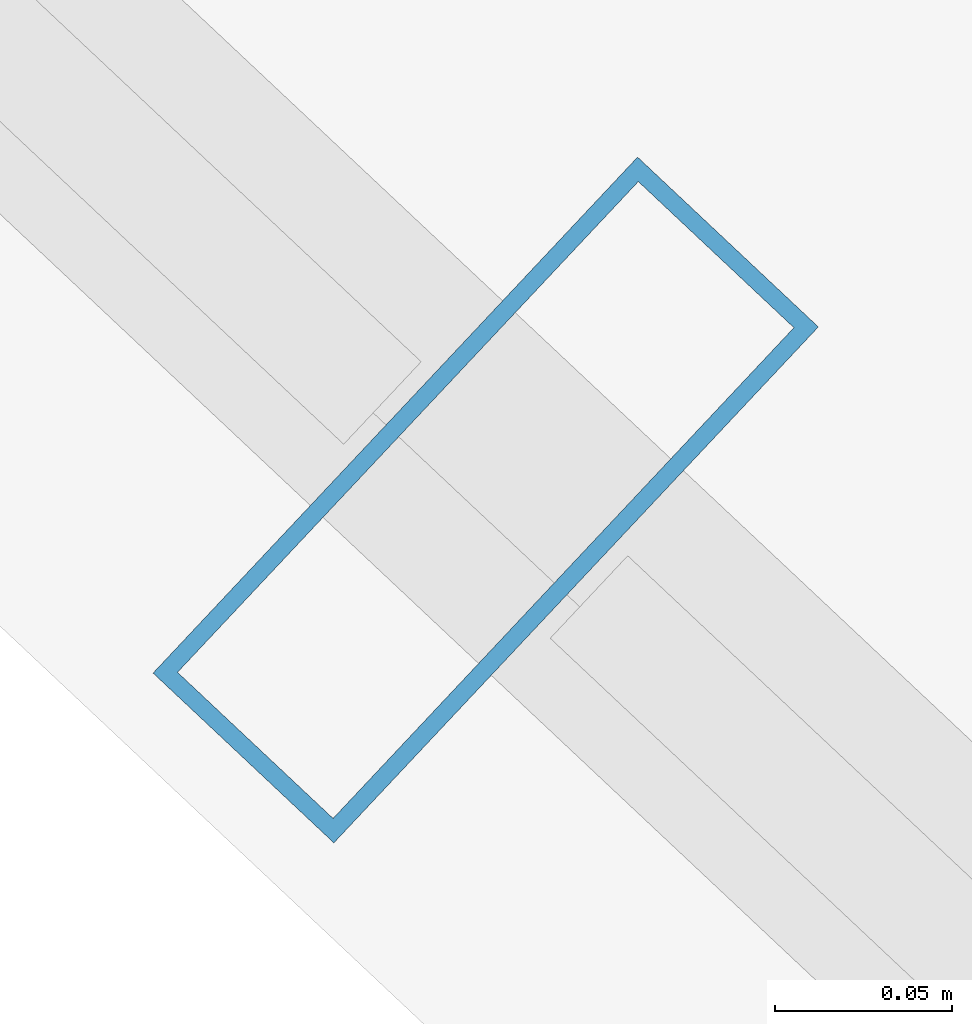
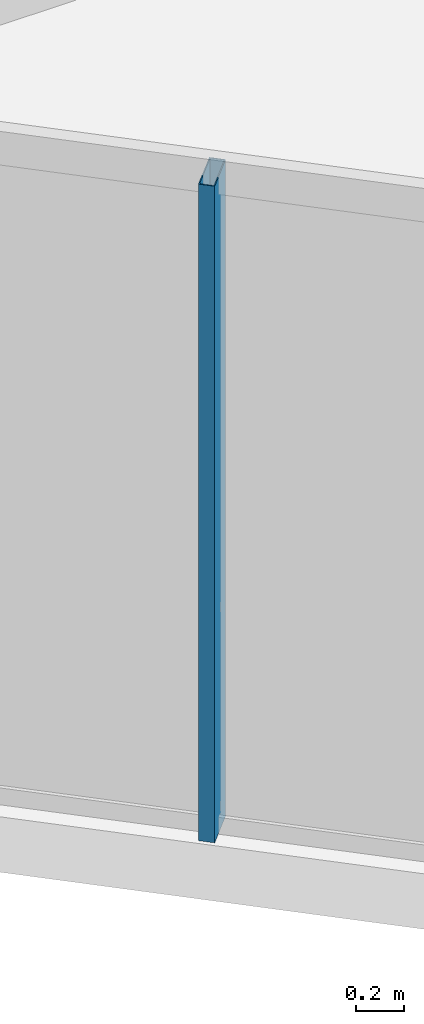
# One storey, part 2 of 19: 1 member, 1 element without a shape of its own.
"""IFC4 building model written with IfcOpenShell, lengths in metres."""

from ifc_helpers import new_model, si_unit, direction, frame, origin, origin_2d, place, context, subcontext, project, spatial, hollow_rectangle, extrude, material, layer, layer_set, material_profile, profile_set, type_object, element, aggregate, save


model = new_model("IFC4")

# Units and contexts
model_context = context("Model", 3, precision=1e-05, world=origin(), true_north=direction((0.0, 1.0)))
body_context = subcontext(model_context, "Body", "Model", "MODEL_VIEW")
ifc_project = project(units=[si_unit("LENGTHUNIT", "METRE"), si_unit("AREAUNIT", "SQUARE_METRE"), si_unit("VOLUMEUNIT", "CUBIC_METRE"), si_unit("PLANEANGLEUNIT", "RADIAN"), si_unit("MASSUNIT", "GRAM", prefix="KILO")], contexts=[model_context])

# Site, building, storey
site_placement = place(None, origin())
site = spatial("IfcSite", under=ifc_project, at=site_placement, CompositionType="ELEMENT")
building_placement = place(site_placement, origin())
building = spatial("IfcBuilding", under=site, at=building_placement, Name="Qarnah Convention Tower", CompositionType="ELEMENT")
storey_placement = place(building_placement, frame((0.0, 0.0, 129.300048828125)))
storey = spatial("IfcBuildingStorey", under=building, at=storey_placement, Name="L34", CompositionType="ELEMENT", Elevation=129.300048828125)

# Curtain wall, member
ifc_material_1 = material(Name="Tempered Low-E dark glass", Category="glass")
ifc_layer = layer(ifc_material_1, 0.172119140625)
ifc_layer_set = layer_set([ifc_layer], Name="Tempered Low-E dark glass")
curtain_wall_type = type_object("IfcCurtainWallType", Name="CWS-03", PredefinedType="NOTDEFINED", material=ifc_layer_set)
curtain_wall_placement = place(storey_placement, origin())
curtain_wall = element("IfcCurtainWall", 1, at=curtain_wall_placement, inside=storey, type_object=curtain_wall_type, Name="L34 unitised curtain wall CW-L34-F1", PredefinedType="NOTDEFINED")
ifc_material_2 = material(Name="Black anodised aluminium", Category="aluminium")
ifc_material_profile = material_profile(ifc_material_2, hollow_rectangle(XDim=0.070068359375, YDim=0.199951171875, WallThickness=0.0048828125, at=origin_2d()), Name="MUL-70X200")
ifc_profile_set = profile_set([ifc_material_profile], Name="Black anodised aluminium")
member_type = type_object("IfcMemberType", Name="MUL-T3", PredefinedType="MULLION", material=ifc_profile_set)
member_placement = place(storey_placement, frame((28.35205078125, 11.41357421875, 0.0), z_axis=(0.0, 0.0, 1.0), x_axis=(-0.728967659665, 0.684548136483, 0.0)))
member = element("IfcMember", 2, at=member_placement, type_object=member_type, Name="CW-L34-F1 mullion 3", PredefinedType="MULLION", context=body_context, shape_type="SweptSolid", body=[
    extrude(hollow_rectangle(XDim=0.070068359375, YDim=0.199951171875, WallThickness=0.0048828125, at=origin_2d()), origin(), (0.0, 0.0, 1.0), 3.320068359375),
])
aggregate(curtain_wall, [member])

save(model, "model.ifc")
